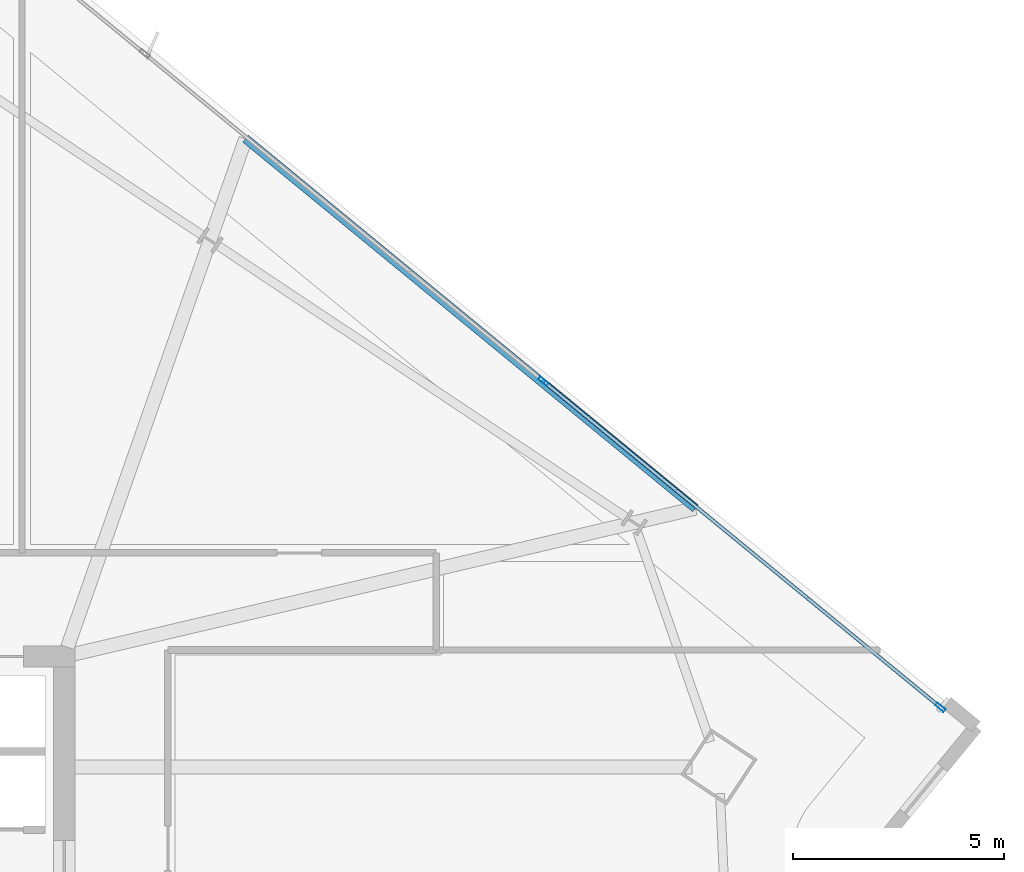
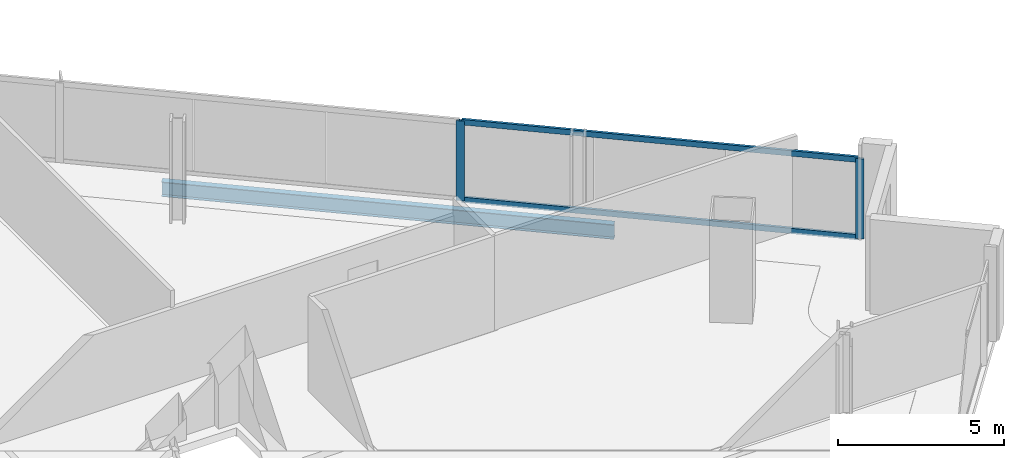
# One storey, part 17 of 28: 4 members, 1 beam, 1 element without a shape of its own.
"""IFC4 building model written with IfcOpenShell, lengths in metres."""

from ifc_helpers import new_model, si_unit, direction, frame, origin, origin_2d, place, context, subcontext, project, spatial, hollow_rectangle, i_section, extrude, material, material_profile, profile_set, type_object, element, aggregate, save


model = new_model("IFC4")

# Units and contexts
model_context = context("Model", 3, precision=1e-05, world=origin(), true_north=direction((0.0, 1.0)))
body_context = subcontext(model_context, "Body", "Model", "MODEL_VIEW")
ifc_project = project(units=[si_unit("LENGTHUNIT", "METRE"), si_unit("AREAUNIT", "SQUARE_METRE"), si_unit("VOLUMEUNIT", "CUBIC_METRE"), si_unit("PLANEANGLEUNIT", "RADIAN"), si_unit("MASSUNIT", "GRAM", prefix="KILO")], contexts=[model_context])

# Site, building, storey
site_placement = place(None, origin())
site = spatial("IfcSite", under=ifc_project, at=site_placement, CompositionType="ELEMENT")
building_placement = place(site_placement, origin())
building = spatial("IfcBuilding", under=site, at=building_placement, Name="Haldenkirk Collegiate Tower", CompositionType="ELEMENT")
storey_placement = place(building_placement, frame((0.0, 0.0, 198.449951171875)))
storey = spatial("IfcBuildingStorey", under=building, at=storey_placement, Name="L49", CompositionType="ELEMENT", Elevation=198.449951171875)

# Beam
ifc_material_1 = material(Name="Steel ASTM A992 Grade 50", Category="steel")
ifc_material_profile_1 = material_profile(ifc_material_1, i_section(OverallWidth=0.2099609375, OverallDepth=0.537109375, WebThickness=0.010986328125, FlangeThickness=0.017333984375, at=origin_2d()), Name="W21X68")
ifc_profile_set_1 = profile_set([ifc_material_profile_1], Name="Steel ASTM A992 Grade 50")
beam_type = type_object("IfcBeamType", Name="BM-SPANDREL-W21X68", PredefinedType="SPANDREL", material=ifc_profile_set_1)
beam_placement = place(storey_placement, frame((59.93212890625, 37.50390625, -0.54833984375), z_axis=(-0.772723770411, 0.634742447487, 0.0), x_axis=(-0.634742447487, -0.772723770411, 0.0)))
element("IfcBeam", 1, at=beam_placement, inside=storey, type_object=beam_type, Name="L49 outer facade edge beam 2", PredefinedType="SPANDREL", context=body_context, shape_type="SweptSolid", body=[
    extrude(i_section(OverallWidth=0.2099609375, OverallDepth=0.537109375, WebThickness=0.010986328125, FlangeThickness=0.017333984375, at=origin_2d()), origin(), (0.0, 0.0, 1.0), 13.772705078125),
])

# Curtain wall, members
ifc_material_2 = material(Name="Anodised architectural bronze aluminium", Category="aluminium")
curtain_wall_type = type_object("IfcCurtainWallType", Name="CW-SYS1B-CONVEX-HI", PredefinedType="USERDEFINED", material=ifc_material_2)
curtain_wall_placement = place(storey_placement, origin())
curtain_wall = element("IfcCurtainWall", 2, at=curtain_wall_placement, inside=storey, type_object=curtain_wall_type, Name="L49 Upper tower high-wind convex bronze unitised curtain wall", ObjectType="UNITISED CURTAIN WALL", PredefinedType="USERDEFINED")
ifc_material_profile_2 = material_profile(ifc_material_2, hollow_rectangle(XDim=0.0849609375, YDim=0.25, WallThickness=0.0048828125, at=origin_2d()), Name="CW-MUL-1B")
ifc_profile_set_2 = profile_set([ifc_material_profile_2], Name="Anodised architectural bronze aluminium")
member_type_1 = type_object("IfcMemberType", Name="CW-MUL-1B", PredefinedType="MULLION", material=ifc_profile_set_2)
member_1_placement = place(storey_placement, frame((56.33251953125, 40.5126953125, 0.0), z_axis=(0.0, 0.0, 1.0), x_axis=(0.634731907043, 0.772732428582, 0.0)))
member_1 = element("IfcMember", 3, at=member_1_placement, type_object=member_type_1, Name="CW-1B mullion 3", PredefinedType="MULLION", context=body_context, shape_type="SweptSolid", body=[
    extrude(hollow_rectangle(XDim=0.0849609375, YDim=0.25, WallThickness=0.0048828125, at=origin_2d()), origin(), (0.0, 0.0, 1.0), 2.927978515625),
])
member_2_placement = place(storey_placement, frame((65.726806640625, 32.7958984375, 0.0), z_axis=(0.0, 0.0, 1.0), x_axis=(0.634731907043, 0.772732428582, 0.0)))
member_2 = element("IfcMember", 4, at=member_2_placement, type_object=member_type_1, Name="CW-1B mullion 4", PredefinedType="MULLION", context=body_context, shape_type="SweptSolid", body=[
    extrude(hollow_rectangle(XDim=0.0849609375, YDim=0.25, WallThickness=0.0048828125, at=origin_2d()), origin(), (0.0, 0.0, 1.0), 2.927978515625),
])
ifc_material_profile_3 = material_profile(ifc_material_2, hollow_rectangle(XDim=0.0849609375, YDim=0.199951171875, WallThickness=0.0048828125, at=origin_2d()), Name="CW-TRN-1B")
ifc_profile_set_3 = profile_set([ifc_material_profile_3], Name="Anodised architectural bronze aluminium")
member_type_2 = type_object("IfcMemberType", Name="CW-TRN-1B", PredefinedType="USERDEFINED", material=ifc_profile_set_3)
member_3_placement = place(storey_placement, frame((56.365234375, 40.485595703125, 0.04248046875), z_axis=(0.772732276656, -0.634732092, 0.0), x_axis=(0.634732092, 0.772732276656, 0.0)))
member_3 = element("IfcMember", 5, at=member_3_placement, type_object=member_type_2, Name="CW-1B transom 3.1", ObjectType="TRANSOM", PredefinedType="USERDEFINED", context=body_context, shape_type="SweptSolid", body=[
    extrude(hollow_rectangle(XDim=0.0849609375, YDim=0.199951171875, WallThickness=0.0048828125, at=origin_2d()), origin(), (0.0, 0.0, 1.0), 12.072509765625),
])
member_4_placement = place(storey_placement, frame((56.365234375, 40.485595703125, 2.885498046875), z_axis=(0.772732276656, -0.634732092, 0.0), x_axis=(0.634732092, 0.772732276656, 0.0)))
member_4 = element("IfcMember", 6, at=member_4_placement, type_object=member_type_2, Name="CW-1B transom 3.2", ObjectType="TRANSOM", PredefinedType="USERDEFINED", context=body_context, shape_type="SweptSolid", body=[
    extrude(hollow_rectangle(XDim=0.0849609375, YDim=0.199951171875, WallThickness=0.0048828125, at=origin_2d()), origin(), (0.0, 0.0, 1.0), 12.072509765625),
])
aggregate(curtain_wall, [member_1, member_2, member_3, member_4])

save(model, "model.ifc")
